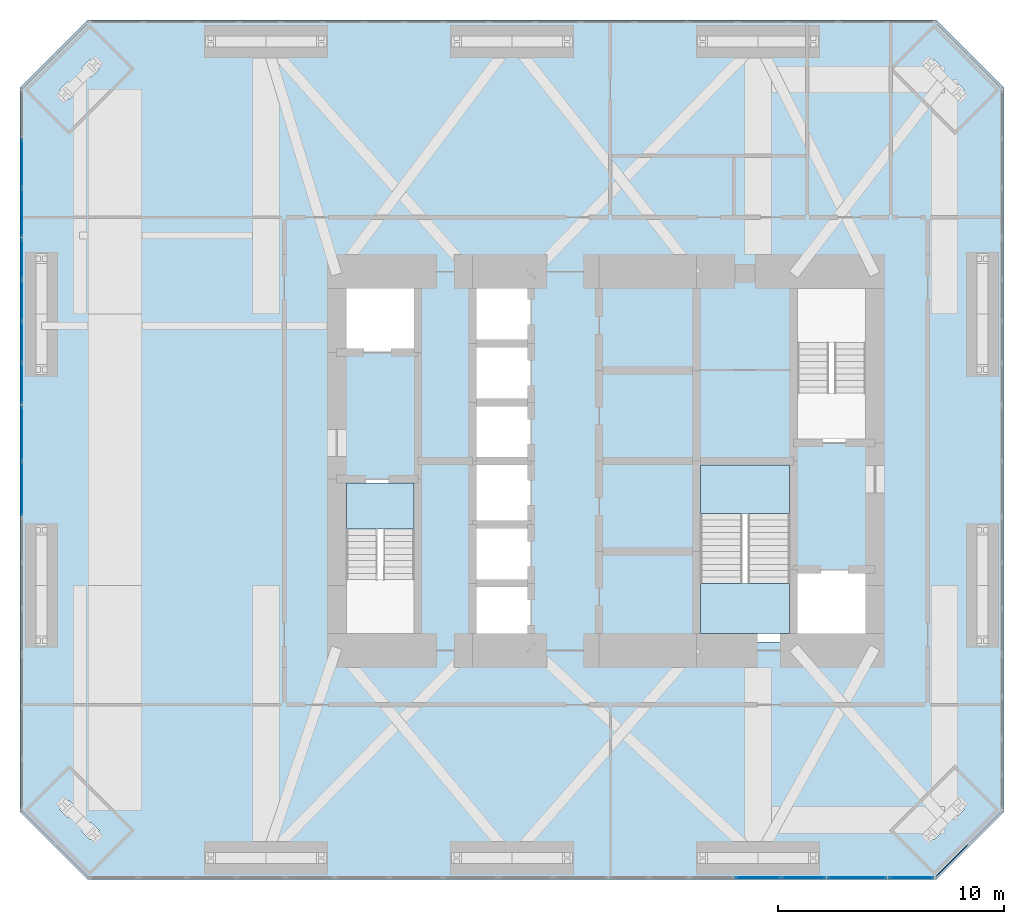
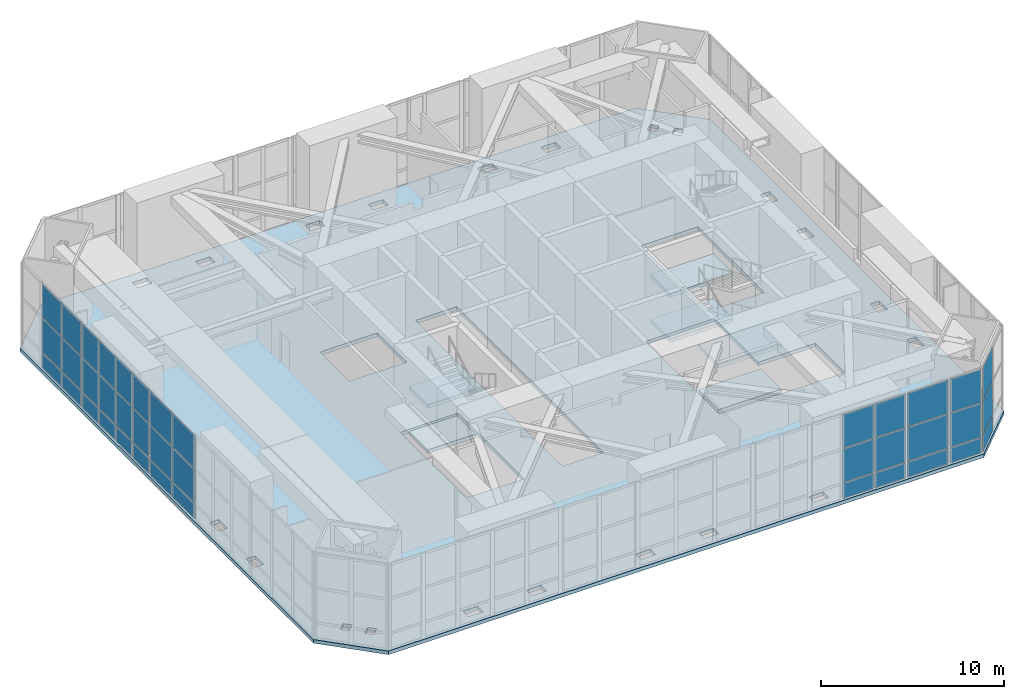
# One storey, part 11 of 18: 39 plates, 7 slabs, 9 elements without a shape of their own.
"""IFC4 building model written with IfcOpenShell, lengths in metres."""

from ifc_helpers import new_model, si_unit, direction, frame, origin, origin_2d, place, context, subcontext, project, spatial, polyline, rectangle, outline, extrude, material, layer, layer_set, type_object, element, aggregate, save


model = new_model("IFC4")

# Units and contexts
model_context = context("Model", 3, precision=1e-05, world=origin(), true_north=direction((0.0, 1.0)))
body_context = subcontext(model_context, "Body", "Model", "MODEL_VIEW")
ifc_project = project(units=[si_unit("LENGTHUNIT", "METRE"), si_unit("AREAUNIT", "SQUARE_METRE"), si_unit("VOLUMEUNIT", "CUBIC_METRE"), si_unit("PLANEANGLEUNIT", "RADIAN"), si_unit("MASSUNIT", "GRAM", prefix="KILO")], contexts=[model_context])

# Site, building, storey
site_placement = place(None, origin())
site = spatial("IfcSite", under=ifc_project, at=site_placement, CompositionType="ELEMENT")
building_placement = place(site_placement, origin())
building = spatial("IfcBuilding", under=site, at=building_placement, Name="Jalousie Tower", CompositionType="ELEMENT")
storey_placement = place(building_placement, frame((0.0, 0.0, 138.35009765625)))
storey = spatial("IfcBuildingStorey", under=building, at=storey_placement, Name="L38", CompositionType="ELEMENT", Elevation=138.35009765625)

# Slab
ifc_material_1 = material(Name="Concrete f'c 40 MPa", Category="concrete")
ifc_layer_1 = layer(ifc_material_1, 0.239990234375)
ifc_layer_set_1 = layer_set([ifc_layer_1], Name="Concrete f'c 40 MPa")
slab_type_1 = type_object("IfcSlabType", Name="FLOOR SLAB 240", PredefinedType="FLOOR", material=ifc_layer_set_1)
slab_1_placement = place(storey_placement, frame((0.0, 0.0, -0.239990234375)))
element("IfcSlab", 1, at=slab_1_placement, inside=storey, type_object=slab_type_1, Name="L38 floor slab", PredefinedType="FLOOR", context=body_context, shape_type="SweptSolid", body=[
    extrude(outline(polyline([(9.0, 0.0), (46.5, 0.0), (49.5, 3.0), (49.5, 35.0), (46.5, 38.0), (9.0, 38.0), (6.0, 35.0), (6.0, 3.0), (9.0, 0.0)]), holes=[polyline([(14.425048828125, 1.236083984375), (14.484619140625, 1.236083984375), (15.34716796875, 1.236083984375), (15.34716796875, 0.663818359375), (14.484619140625, 0.663818359375), (14.425048828125, 0.663818359375), (14.425048828125, 1.236083984375)]), polyline([(26.22216796875, 1.236083984375), (26.22216796875, 0.663818359375), (25.359619140625, 0.663818359375), (25.300048828125, 0.663818359375), (25.300048828125, 1.236083984375), (25.359619140625, 1.236083984375), (26.22216796875, 1.236083984375)]), polyline([(18.40283203125, 1.236083984375), (19.265380859375, 1.236083984375), (19.324951171875, 1.236083984375), (19.324951171875, 0.663818359375), (19.265380859375, 0.663818359375), (18.40283203125, 0.663818359375), (18.40283203125, 1.236083984375)]), polyline([(9.39453125, 2.27294921875), (9.505615234375, 2.162109375), (9.505615234375, 2.162109375), (9.302978515625, 1.959716796875), (9.1005859375, 1.75732421875), (8.98974609375, 1.868408203125), (8.98974609375, 1.868408203125), (8.736083984375, 2.121826171875), (9.14111328125, 2.526611328125), (9.39453125, 2.27294921875)]), polyline([(7.75732421875, 3.1005859375), (8.162109375, 3.505615234375), (8.526611328125, 3.14111328125), (8.121826171875, 2.736083984375), (7.75732421875, 3.1005859375)]), polyline([(7.236083984375, 10.550048828125), (6.663818359375, 10.550048828125), (6.663818359375, 10.609619140625), (6.663818359375, 11.47216796875), (7.236083984375, 11.47216796875), (7.236083984375, 10.609619140625), (7.236083984375, 10.550048828125)]), polyline([(26.0, 10.5), (26.0, 26.5), (28.60009765625, 26.5), (28.60009765625, 10.5), (26.0, 10.5)]), polyline([(20.0, 10.5), (23.60009765625, 10.5), (23.60009765625, 17.699951171875), (20.0, 17.699951171875), (20.0, 10.5)]), polyline([(7.236083984375, 15.390380859375), (7.236083984375, 14.52783203125), (6.663818359375, 14.52783203125), (6.663818359375, 15.390380859375), (6.663818359375, 15.449951171875), (7.236083984375, 15.449951171875), (7.236083984375, 15.390380859375)]), polyline([(6.663818359375, 23.47216796875), (7.236083984375, 23.47216796875), (7.236083984375, 22.609619140625), (7.236083984375, 22.550048828125), (6.663818359375, 22.550048828125), (6.663818359375, 22.609619140625), (6.663818359375, 23.47216796875)]), polyline([(20.0, 23.300048828125), (23.60009765625, 23.300048828125), (23.60009765625, 26.5), (20.0, 26.5), (20.0, 23.300048828125)]), polyline([(7.236083984375, 26.52783203125), (6.663818359375, 26.52783203125), (6.663818359375, 27.390380859375), (6.663818359375, 27.449951171875), (7.236083984375, 27.449951171875), (7.236083984375, 27.390380859375), (7.236083984375, 26.52783203125)]), polyline([(7.75732421875, 34.8994140625), (7.75732421875, 34.8994140625), (8.121826171875, 35.263916015625), (8.526611328125, 34.85888671875), (8.162109375, 34.494384765625), (7.959716796875, 34.697021484375), (7.75732421875, 34.8994140625), (7.75732421875, 34.8994140625)]), polyline([(9.505615234375, 35.837890625), (9.14111328125, 35.473388671875), (8.736083984375, 35.878173828125), (9.1005859375, 36.24267578125), (9.302978515625, 36.040283203125), (9.505615234375, 35.837890625), (9.505615234375, 35.837890625), (9.505615234375, 35.837890625)]), polyline([(26.22216796875, 36.763916015625), (25.359619140625, 36.763916015625), (25.300048828125, 36.763916015625), (25.300048828125, 37.336181640625), (25.359619140625, 37.336181640625), (26.22216796875, 37.336181640625), (26.22216796875, 36.763916015625)]), polyline([(19.324951171875, 37.336181640625), (19.324951171875, 36.763916015625), (19.265380859375, 36.763916015625), (18.40283203125, 36.763916015625), (18.40283203125, 37.336181640625), (19.265380859375, 37.336181640625), (19.324951171875, 37.336181640625)]), polyline([(14.425048828125, 36.763916015625), (14.425048828125, 37.336181640625), (14.484619140625, 37.336181640625), (15.34716796875, 37.336181640625), (15.34716796875, 36.763916015625), (14.484619140625, 36.763916015625), (14.425048828125, 36.763916015625)]), polyline([(29.27783203125, 0.663818359375), (29.27783203125, 1.236083984375), (30.140380859375, 1.236083984375), (30.199951171875, 1.236083984375), (30.199951171875, 0.663818359375), (30.140380859375, 0.663818359375), (29.27783203125, 0.663818359375)]), polyline([(36.234619140625, 0.663818359375), (36.175048828125, 0.663818359375), (36.175048828125, 1.236083984375), (36.234619140625, 1.236083984375), (37.09716796875, 1.236083984375), (37.09716796875, 0.663818359375), (36.234619140625, 0.663818359375)]), polyline([(41.015380859375, 1.236083984375), (41.074951171875, 1.236083984375), (41.074951171875, 0.663818359375), (41.015380859375, 0.663818359375), (40.15283203125, 0.663818359375), (40.15283203125, 1.236083984375), (41.015380859375, 1.236083984375)]), polyline([(46.763916015625, 2.121826171875), (46.3994140625, 1.75732421875), (46.3994140625, 1.75732421875), (46.3994140625, 1.75732421875), (46.197021484375, 1.959716796875), (45.994384765625, 2.162109375), (46.35888671875, 2.526611328125), (46.763916015625, 2.121826171875)]), polyline([(47.337890625, 3.505615234375), (47.337890625, 3.505615234375), (47.337890625, 3.505615234375), (47.540283203125, 3.302978515625), (47.74267578125, 3.1005859375), (47.378173828125, 2.736083984375), (46.973388671875, 3.14111328125), (47.337890625, 3.505615234375)]), polyline([(48.836181640625, 10.550048828125), (48.263916015625, 10.550048828125), (48.263916015625, 10.609619140625), (48.263916015625, 11.47216796875), (48.836181640625, 11.47216796875), (48.836181640625, 10.609619140625), (48.836181640625, 10.550048828125)]), polyline([(35.89990234375, 18.5), (40.199951171875, 18.5), (40.199951171875, 13.699951171875), (43.800048828125, 13.699951171875), (43.800048828125, 10.5), (35.89990234375, 10.5), (35.89990234375, 18.5)]), polyline([(48.836181640625, 14.52783203125), (48.263916015625, 14.52783203125), (48.263916015625, 15.390380859375), (48.263916015625, 15.449951171875), (48.836181640625, 15.449951171875), (48.836181640625, 15.390380859375), (48.836181640625, 14.52783203125)]), polyline([(40.199951171875, 19.300048828125), (43.800048828125, 19.300048828125), (43.800048828125, 26.5), (40.199951171875, 26.5), (40.199951171875, 19.300048828125)]), polyline([(48.836181640625, 22.550048828125), (48.263916015625, 22.550048828125), (48.263916015625, 22.609619140625), (48.263916015625, 23.47216796875), (48.836181640625, 23.47216796875), (48.836181640625, 22.609619140625), (48.836181640625, 22.550048828125)]), polyline([(48.836181640625, 27.390380859375), (48.836181640625, 26.52783203125), (48.263916015625, 26.52783203125), (48.263916015625, 27.390380859375), (48.263916015625, 27.449951171875), (48.836181640625, 27.449951171875), (48.836181640625, 27.390380859375)]), polyline([(47.378173828125, 35.263916015625), (47.631591796875, 35.01025390625), (47.74267578125, 34.8994140625), (47.337890625, 34.494384765625), (46.973388671875, 34.85888671875), (47.378173828125, 35.263916015625)]), polyline([(46.35888671875, 35.473388671875), (45.994384765625, 35.837890625), (46.3994140625, 36.24267578125), (46.51025390625, 36.131591796875), (46.763916015625, 35.878173828125), (46.35888671875, 35.473388671875)]), polyline([(41.015380859375, 37.336181640625), (41.074951171875, 37.336181640625), (41.074951171875, 36.763916015625), (41.015380859375, 36.763916015625), (40.15283203125, 36.763916015625), (40.15283203125, 37.336181640625), (41.015380859375, 37.336181640625)]), polyline([(37.09716796875, 37.336181640625), (37.09716796875, 36.763916015625), (36.234619140625, 36.763916015625), (36.175048828125, 36.763916015625), (36.175048828125, 37.336181640625), (36.234619140625, 37.336181640625), (37.09716796875, 37.336181640625)]), polyline([(29.27783203125, 37.336181640625), (30.140380859375, 37.336181640625), (30.199951171875, 37.336181640625), (30.199951171875, 36.763916015625), (30.140380859375, 36.763916015625), (29.27783203125, 36.763916015625), (29.27783203125, 37.336181640625)])]), origin(), (0.0, 0.0, 1.0), 0.239990234375),
])

# Curtain wall, plates
ifc_material_2 = material(Name="Aluminium curtain wall", Category="aluminium")
curtain_wall_type_1 = type_object("IfcCurtainWallType", Name="SKY LOUNGE SPANDREL WALL", PredefinedType="USERDEFINED", material=ifc_material_2)
curtain_wall_1_placement = place(storey_placement, origin())
curtain_wall_1 = element("IfcCurtainWall", 2, at=curtain_wall_1_placement, inside=storey, type_object=curtain_wall_type_1, Name="Sky Lounge Spandrel Wall L38 5", ObjectType="SKY LOUNGE SPANDREL WALL", PredefinedType="USERDEFINED")
ifc_material_3 = material(Name="Laminated impact-rated spandrel glass", Category="glass")
ifc_layer_2 = layer(ifc_material_3, 0.035888671875)
ifc_layer_set_2 = layer_set([ifc_layer_2], Name="Laminated impact-rated spandrel glass")
plate_type_1 = type_object("IfcPlateType", Name="SKY LOUNGE SPANDREL WALL PANEL", PredefinedType="CURTAIN_PANEL", material=ifc_layer_set_2)
plate_1_placement = place(storey_placement, frame((38.625, 0.08740234375, 0.07470703125), z_axis=(0.0, 0.0, 1.0), x_axis=(1.0, 0.0, 0.0)))
plate_1 = element("IfcPlate", 3, at=plate_1_placement, type_object=plate_type_1, Name="CW-KS panel 2.1", PredefinedType="CURTAIN_PANEL", context=body_context, shape_type="SweptSolid", body=[
    extrude(rectangle(XDim=1.951416015625, YDim=0.035888671875, at=origin_2d()), origin(), (0.0, 0.0, 1.0), 0.987548828125),
])
plate_2_placement = place(storey_placement, frame((38.625, 0.08740234375, 1.137451171875), z_axis=(0.0, 0.0, 1.0), x_axis=(1.0, 0.0, 0.0)))
plate_2 = element("IfcPlate", 4, at=plate_2_placement, type_object=plate_type_1, Name="CW-KS panel 2.2", PredefinedType="CURTAIN_PANEL", context=body_context, shape_type="SweptSolid", body=[
    extrude(rectangle(XDim=1.951416015625, YDim=0.035888671875, at=origin_2d()), origin(), (0.0, 0.0, 1.0), 2.22509765625),
])
plate_3_placement = place(storey_placement, frame((38.625, 0.08740234375, 3.4375), z_axis=(0.0, 0.0, 1.0), x_axis=(1.0, 0.0, 0.0)))
plate_3 = element("IfcPlate", 5, at=plate_3_placement, type_object=plate_type_1, Name="CW-KS panel 2.3", PredefinedType="CURTAIN_PANEL", context=body_context, shape_type="SweptSolid", body=[
    extrude(rectangle(XDim=1.951416015625, YDim=0.035888671875, at=origin_2d()), origin(), (0.0, 0.0, 1.0), 2.20751953125),
])
plate_4_placement = place(storey_placement, frame((40.632568359375, 0.08740234375, 0.07470703125), z_axis=(0.0, 0.0, 1.0), x_axis=(1.0, 0.0, 0.0)))
plate_4 = element("IfcPlate", 6, at=plate_4_placement, type_object=plate_type_1, Name="CW-KS panel 3.1", PredefinedType="CURTAIN_PANEL", context=body_context, shape_type="SweptSolid", body=[
    extrude(rectangle(XDim=1.913818359375, YDim=0.035888671875, at=origin_2d()), origin(), (0.0, 0.0, 1.0), 0.987548828125),
])
plate_5_placement = place(storey_placement, frame((40.632568359375, 0.08740234375, 1.137451171875), z_axis=(0.0, 0.0, 1.0), x_axis=(1.0, 0.0, 0.0)))
plate_5 = element("IfcPlate", 7, at=plate_5_placement, type_object=plate_type_1, Name="CW-KS panel 3.2", PredefinedType="CURTAIN_PANEL", context=body_context, shape_type="SweptSolid", body=[
    extrude(rectangle(XDim=1.913818359375, YDim=0.035888671875, at=origin_2d()), origin(), (0.0, 0.0, 1.0), 2.22509765625),
])
plate_6_placement = place(storey_placement, frame((40.632568359375, 0.08740234375, 3.4375), z_axis=(0.0, 0.0, 1.0), x_axis=(1.0, 0.0, 0.0)))
plate_6 = element("IfcPlate", 8, at=plate_6_placement, type_object=plate_type_1, Name="CW-KS panel 3.3", PredefinedType="CURTAIN_PANEL", context=body_context, shape_type="SweptSolid", body=[
    extrude(rectangle(XDim=1.913818359375, YDim=0.035888671875, at=origin_2d()), origin(), (0.0, 0.0, 1.0), 2.20751953125),
])
aggregate(curtain_wall_1, [plate_1, plate_2, plate_3, plate_4, plate_5, plate_6])

curtain_wall_2_placement = place(storey_placement, origin())
curtain_wall_2 = element("IfcCurtainWall", 9, at=curtain_wall_2_placement, inside=storey, type_object=curtain_wall_type_1, Name="Sky Lounge Spandrel Wall L38 7", ObjectType="SKY LOUNGE SPANDREL WALL", PredefinedType="USERDEFINED")
plate_7_placement = place(storey_placement, frame((45.405029296875, 0.08740234375, 0.07470703125), z_axis=(0.0, 0.0, 1.0), x_axis=(1.0, 0.0, 0.0)))
plate_7 = element("IfcPlate", 10, at=plate_7_placement, type_object=plate_type_1, Name="CW-KS panel 1.1", PredefinedType="CURTAIN_PANEL", context=body_context, shape_type="SweptSolid", body=[
    extrude(rectangle(XDim=1.937255859375, YDim=0.035888671875, at=origin_2d()), origin(), (0.0, 0.0, 1.0), 0.987548828125),
])
plate_8_placement = place(storey_placement, frame((45.405029296875, 0.08740234375, 1.137451171875), z_axis=(0.0, 0.0, 1.0), x_axis=(1.0, 0.0, 0.0)))
plate_8 = element("IfcPlate", 11, at=plate_8_placement, type_object=plate_type_1, Name="CW-KS panel 1.2", PredefinedType="CURTAIN_PANEL", context=body_context, shape_type="SweptSolid", body=[
    extrude(rectangle(XDim=1.937255859375, YDim=0.035888671875, at=origin_2d()), origin(), (0.0, 0.0, 1.0), 2.22509765625),
])
plate_9_placement = place(storey_placement, frame((45.405029296875, 0.08740234375, 3.4375), z_axis=(0.0, 0.0, 1.0), x_axis=(1.0, 0.0, 0.0)))
plate_9 = element("IfcPlate", 12, at=plate_9_placement, type_object=plate_type_1, Name="CW-KS panel 1.3", PredefinedType="CURTAIN_PANEL", context=body_context, shape_type="SweptSolid", body=[
    extrude(rectangle(XDim=1.937255859375, YDim=0.035888671875, at=origin_2d()), origin(), (0.0, 0.0, 1.0), 2.20751953125),
])
aggregate(curtain_wall_2, [plate_7, plate_8, plate_9])

curtain_wall_3_placement = place(storey_placement, origin())
curtain_wall_3 = element("IfcCurtainWall", 13, at=curtain_wall_3_placement, inside=storey, type_object=curtain_wall_type_1, Name="Sky Lounge Spandrel Wall L38 2", ObjectType="SKY LOUNGE SPANDREL WALL", PredefinedType="USERDEFINED")
plate_10_placement = place(storey_placement, frame((47.202880859375, 0.841796875, 0.07470703125), z_axis=(0.0, 0.0, 1.0), x_axis=(0.707106781187, 0.707106781187, 0.0)))
plate_10 = element("IfcPlate", 14, at=plate_10_placement, type_object=plate_type_1, Name="CW-KS panel 1.1", PredefinedType="CURTAIN_PANEL", context=body_context, shape_type="SweptSolid", body=[
    extrude(rectangle(XDim=1.983154296875, YDim=0.035888671875, at=origin_2d()), origin(), (0.0, 0.0, 1.0), 0.987548828125),
])
plate_11_placement = place(storey_placement, frame((47.202880859375, 0.841796875, 1.137451171875), z_axis=(0.0, 0.0, 1.0), x_axis=(0.707106781187, 0.707106781187, 0.0)))
plate_11 = element("IfcPlate", 15, at=plate_11_placement, type_object=plate_type_1, Name="CW-KS panel 1.2", PredefinedType="CURTAIN_PANEL", context=body_context, shape_type="SweptSolid", body=[
    extrude(rectangle(XDim=1.983154296875, YDim=0.035888671875, at=origin_2d()), origin(), (0.0, 0.0, 1.0), 2.22509765625),
])
plate_12_placement = place(storey_placement, frame((47.202880859375, 0.841796875, 3.4375), z_axis=(0.0, 0.0, 1.0), x_axis=(0.707106781187, 0.707106781187, 0.0)))
plate_12 = element("IfcPlate", 16, at=plate_12_placement, type_object=plate_type_1, Name="CW-KS panel 1.3", PredefinedType="CURTAIN_PANEL", context=body_context, shape_type="SweptSolid", body=[
    extrude(rectangle(XDim=1.983154296875, YDim=0.035888671875, at=origin_2d()), origin(), (0.0, 0.0, 1.0), 2.20751953125),
])
aggregate(curtain_wall_3, [plate_10, plate_11, plate_12])

curtain_wall_4_placement = place(storey_placement, origin())
curtain_wall_4 = element("IfcCurtainWall", 17, at=curtain_wall_4_placement, inside=storey, type_object=curtain_wall_type_1, Name="Sky Lounge Spandrel Wall L38 62", ObjectType="SKY LOUNGE SPANDREL WALL", PredefinedType="USERDEFINED")
plate_13_placement = place(storey_placement, frame((6.08740234375, 27.4296875, 0.07470703125), z_axis=(0.0, 0.0, 1.0), x_axis=(0.0, -1.0, 0.0)))
plate_13 = element("IfcPlate", 18, at=plate_13_placement, type_object=plate_type_1, Name="CW-KS panel 1.1", PredefinedType="CURTAIN_PANEL", context=body_context, shape_type="SweptSolid", body=[
    extrude(rectangle(XDim=1.735595703125, YDim=0.035888671875, at=origin_2d()), origin(), (0.0, 0.0, 1.0), 0.987548828125),
])
plate_14_placement = place(storey_placement, frame((6.08740234375, 27.4296875, 1.137451171875), z_axis=(0.0, 0.0, 1.0), x_axis=(0.0, -1.0, 0.0)))
plate_14 = element("IfcPlate", 19, at=plate_14_placement, type_object=plate_type_1, Name="CW-KS panel 1.2", PredefinedType="CURTAIN_PANEL", context=body_context, shape_type="SweptSolid", body=[
    extrude(rectangle(XDim=1.735595703125, YDim=0.035888671875, at=origin_2d()), origin(), (0.0, 0.0, 1.0), 2.22509765625),
])
plate_15_placement = place(storey_placement, frame((6.08740234375, 27.4296875, 3.4375), z_axis=(0.0, 0.0, 1.0), x_axis=(0.0, -1.0, 0.0)))
plate_15 = element("IfcPlate", 20, at=plate_15_placement, type_object=plate_type_1, Name="CW-KS panel 1.3", PredefinedType="CURTAIN_PANEL", context=body_context, shape_type="SweptSolid", body=[
    extrude(rectangle(XDim=1.735595703125, YDim=0.035888671875, at=origin_2d()), origin(), (0.0, 0.0, 1.0), 2.20751953125),
])
plate_16_placement = place(storey_placement, frame((6.08740234375, 25.600341796875, 0.07470703125), z_axis=(0.0, 0.0, 1.0), x_axis=(0.0, -1.0, 0.0)))
plate_16 = element("IfcPlate", 21, at=plate_16_placement, type_object=plate_type_1, Name="CW-KS panel 2.1", PredefinedType="CURTAIN_PANEL", context=body_context, shape_type="SweptSolid", body=[
    extrude(rectangle(XDim=1.773193359375, YDim=0.035888671875, at=origin_2d()), origin(), (0.0, 0.0, 1.0), 0.987548828125),
])
plate_17_placement = place(storey_placement, frame((6.08740234375, 25.600341796875, 1.137451171875), z_axis=(0.0, 0.0, 1.0), x_axis=(0.0, -1.0, 0.0)))
plate_17 = element("IfcPlate", 22, at=plate_17_placement, type_object=plate_type_1, Name="CW-KS panel 2.2", PredefinedType="CURTAIN_PANEL", context=body_context, shape_type="SweptSolid", body=[
    extrude(rectangle(XDim=1.773193359375, YDim=0.035888671875, at=origin_2d()), origin(), (0.0, 0.0, 1.0), 2.22509765625),
])
plate_18_placement = place(storey_placement, frame((6.08740234375, 25.600341796875, 3.4375), z_axis=(0.0, 0.0, 1.0), x_axis=(0.0, -1.0, 0.0)))
plate_18 = element("IfcPlate", 23, at=plate_18_placement, type_object=plate_type_1, Name="CW-KS panel 2.3", PredefinedType="CURTAIN_PANEL", context=body_context, shape_type="SweptSolid", body=[
    extrude(rectangle(XDim=1.773193359375, YDim=0.035888671875, at=origin_2d()), origin(), (0.0, 0.0, 1.0), 2.20751953125),
])
plate_19_placement = place(storey_placement, frame((6.08740234375, 23.752197265625, 0.07470703125), z_axis=(0.0, 0.0, 1.0), x_axis=(0.0, -1.0, 0.0)))
plate_19 = element("IfcPlate", 24, at=plate_19_placement, type_object=plate_type_1, Name="CW-KS panel 3.1", PredefinedType="CURTAIN_PANEL", context=body_context, shape_type="SweptSolid", body=[
    extrude(rectangle(XDim=1.773193359375, YDim=0.035888671875, at=origin_2d()), origin(), (0.0, 0.0, 1.0), 0.987548828125),
])
plate_20_placement = place(storey_placement, frame((6.08740234375, 23.752197265625, 1.137451171875), z_axis=(0.0, 0.0, 1.0), x_axis=(0.0, -1.0, 0.0)))
plate_20 = element("IfcPlate", 25, at=plate_20_placement, type_object=plate_type_1, Name="CW-KS panel 3.2", PredefinedType="CURTAIN_PANEL", context=body_context, shape_type="SweptSolid", body=[
    extrude(rectangle(XDim=1.773193359375, YDim=0.035888671875, at=origin_2d()), origin(), (0.0, 0.0, 1.0), 2.22509765625),
])
plate_21_placement = place(storey_placement, frame((6.08740234375, 23.752197265625, 3.4375), z_axis=(0.0, 0.0, 1.0), x_axis=(0.0, -1.0, 0.0)))
plate_21 = element("IfcPlate", 26, at=plate_21_placement, type_object=plate_type_1, Name="CW-KS panel 3.3", PredefinedType="CURTAIN_PANEL", context=body_context, shape_type="SweptSolid", body=[
    extrude(rectangle(XDim=1.773193359375, YDim=0.035888671875, at=origin_2d()), origin(), (0.0, 0.0, 1.0), 2.20751953125),
])
plate_22_placement = place(storey_placement, frame((6.08740234375, 21.9228515625, 0.07470703125), z_axis=(0.0, 0.0, 1.0), x_axis=(0.0, -1.0, 0.0)))
plate_22 = element("IfcPlate", 27, at=plate_22_placement, type_object=plate_type_1, Name="CW-KS panel 4.1", PredefinedType="CURTAIN_PANEL", context=body_context, shape_type="SweptSolid", body=[
    extrude(rectangle(XDim=1.735595703125, YDim=0.035888671875, at=origin_2d()), origin(), (0.0, 0.0, 1.0), 0.987548828125),
])
plate_23_placement = place(storey_placement, frame((6.08740234375, 21.9228515625, 1.137451171875), z_axis=(0.0, 0.0, 1.0), x_axis=(0.0, -1.0, 0.0)))
plate_23 = element("IfcPlate", 28, at=plate_23_placement, type_object=plate_type_1, Name="CW-KS panel 4.2", PredefinedType="CURTAIN_PANEL", context=body_context, shape_type="SweptSolid", body=[
    extrude(rectangle(XDim=1.735595703125, YDim=0.035888671875, at=origin_2d()), origin(), (0.0, 0.0, 1.0), 2.22509765625),
])
plate_24_placement = place(storey_placement, frame((6.08740234375, 21.9228515625, 3.4375), z_axis=(0.0, 0.0, 1.0), x_axis=(0.0, -1.0, 0.0)))
plate_24 = element("IfcPlate", 29, at=plate_24_placement, type_object=plate_type_1, Name="CW-KS panel 4.3", PredefinedType="CURTAIN_PANEL", context=body_context, shape_type="SweptSolid", body=[
    extrude(rectangle(XDim=1.735595703125, YDim=0.035888671875, at=origin_2d()), origin(), (0.0, 0.0, 1.0), 2.20751953125),
])
aggregate(curtain_wall_4, [plate_13, plate_14, plate_15, plate_16, plate_17, plate_18, plate_19, plate_20, plate_21, plate_22, plate_23, plate_24])

ifc_material_4 = material(Name="Aluminium curtain wall", Category="aluminium")
curtain_wall_type_2 = type_object("IfcCurtainWallType", Name="SKY LOUNGE WINDOW WALL", PredefinedType="USERDEFINED", material=ifc_material_4)
curtain_wall_5_placement = place(storey_placement, origin())
curtain_wall_5 = element("IfcCurtainWall", 30, at=curtain_wall_5_placement, inside=storey, type_object=curtain_wall_type_2, Name="Sky Lounge Window Wall L38 6", ObjectType="SKY LOUNGE WINDOW WALL", PredefinedType="USERDEFINED")
ifc_material_5 = material(Name="Laminated impact-rated glass", Category="glass")
ifc_layer_3 = layer(ifc_material_5, 0.035888671875)
ifc_layer_set_3 = layer_set([ifc_layer_3], Name="Laminated impact-rated glass")
plate_type_2 = type_object("IfcPlateType", Name="SKY LOUNGE WINDOW WALL PANEL", PredefinedType="CURTAIN_PANEL", material=ifc_layer_set_3)
plate_25_placement = place(storey_placement, frame((43.012939453125, 0.08740234375, 0.07470703125), z_axis=(0.0, 0.0, 1.0), x_axis=(1.0, 0.0, 0.0)))
plate_25 = element("IfcPlate", 31, at=plate_25_placement, type_object=plate_type_2, Name="CW-K panel 1.1", PredefinedType="CURTAIN_PANEL", context=body_context, shape_type="SweptSolid", body=[
    extrude(rectangle(XDim=2.547119140625, YDim=0.035888671875, at=origin_2d()), origin(), (0.0, 0.0, 1.0), 0.987548828125),
])
plate_26_placement = place(storey_placement, frame((43.012939453125, 0.08740234375, 1.137451171875), z_axis=(0.0, 0.0, 1.0), x_axis=(1.0, 0.0, 0.0)))
plate_26 = element("IfcPlate", 32, at=plate_26_placement, type_object=plate_type_2, Name="CW-K panel 1.2", PredefinedType="CURTAIN_PANEL", context=body_context, shape_type="SweptSolid", body=[
    extrude(rectangle(XDim=2.547119140625, YDim=0.035888671875, at=origin_2d()), origin(), (0.0, 0.0, 1.0), 2.22509765625),
])
plate_27_placement = place(storey_placement, frame((43.012939453125, 0.08740234375, 3.4375), z_axis=(0.0, 0.0, 1.0), x_axis=(1.0, 0.0, 0.0)))
plate_27 = element("IfcPlate", 33, at=plate_27_placement, type_object=plate_type_2, Name="CW-K panel 1.3", PredefinedType="CURTAIN_PANEL", context=body_context, shape_type="SweptSolid", body=[
    extrude(rectangle(XDim=2.547119140625, YDim=0.035888671875, at=origin_2d()), origin(), (0.0, 0.0, 1.0), 2.20751953125),
])
aggregate(curtain_wall_5, [plate_25, plate_26, plate_27])

curtain_wall_6_placement = place(storey_placement, origin())
curtain_wall_6 = element("IfcCurtainWall", 34, at=curtain_wall_6_placement, inside=storey, type_object=curtain_wall_type_2, Name="Sky Lounge Window Wall L38 61", ObjectType="SKY LOUNGE WINDOW WALL", PredefinedType="USERDEFINED")
plate_28_placement = place(storey_placement, frame((6.08740234375, 31.66064453125, 0.07470703125), z_axis=(0.0, 0.0, 1.0), x_axis=(0.0, -1.0, 0.0)))
plate_28 = element("IfcPlate", 35, at=plate_28_placement, type_object=plate_type_2, Name="CW-K panel 2.1", PredefinedType="CURTAIN_PANEL", context=body_context, shape_type="SweptSolid", body=[
    extrude(rectangle(XDim=2.116943359375, YDim=0.035888671875, at=origin_2d()), origin(), (0.0, 0.0, 1.0), 0.987548828125),
])
plate_29_placement = place(storey_placement, frame((6.08740234375, 31.66064453125, 1.137451171875), z_axis=(0.0, 0.0, 1.0), x_axis=(0.0, -1.0, 0.0)))
plate_29 = element("IfcPlate", 36, at=plate_29_placement, type_object=plate_type_2, Name="CW-K panel 2.2", PredefinedType="CURTAIN_PANEL", context=body_context, shape_type="SweptSolid", body=[
    extrude(rectangle(XDim=2.116943359375, YDim=0.035888671875, at=origin_2d()), origin(), (0.0, 0.0, 1.0), 2.22509765625),
])
plate_30_placement = place(storey_placement, frame((6.08740234375, 31.66064453125, 3.4375), z_axis=(0.0, 0.0, 1.0), x_axis=(0.0, -1.0, 0.0)))
plate_30 = element("IfcPlate", 37, at=plate_30_placement, type_object=plate_type_2, Name="CW-K panel 2.3", PredefinedType="CURTAIN_PANEL", context=body_context, shape_type="SweptSolid", body=[
    extrude(rectangle(XDim=2.116943359375, YDim=0.035888671875, at=origin_2d()), origin(), (0.0, 0.0, 1.0), 2.20751953125),
])
plate_31_placement = place(storey_placement, frame((6.08740234375, 29.4873046875, 0.07470703125), z_axis=(0.0, 0.0, 1.0), x_axis=(0.0, -1.0, 0.0)))
plate_31 = element("IfcPlate", 38, at=plate_31_placement, type_object=plate_type_2, Name="CW-K panel 3.1", PredefinedType="CURTAIN_PANEL", context=body_context, shape_type="SweptSolid", body=[
    extrude(rectangle(XDim=2.07958984375, YDim=0.035888671875, at=origin_2d()), origin(), (0.0, 0.0, 1.0), 0.987548828125),
])
plate_32_placement = place(storey_placement, frame((6.08740234375, 29.4873046875, 1.137451171875), z_axis=(0.0, 0.0, 1.0), x_axis=(0.0, -1.0, 0.0)))
plate_32 = element("IfcPlate", 39, at=plate_32_placement, type_object=plate_type_2, Name="CW-K panel 3.2", PredefinedType="CURTAIN_PANEL", context=body_context, shape_type="SweptSolid", body=[
    extrude(rectangle(XDim=2.07958984375, YDim=0.035888671875, at=origin_2d()), origin(), (0.0, 0.0, 1.0), 2.22509765625),
])
plate_33_placement = place(storey_placement, frame((6.08740234375, 29.4873046875, 3.4375), z_axis=(0.0, 0.0, 1.0), x_axis=(0.0, -1.0, 0.0)))
plate_33 = element("IfcPlate", 40, at=plate_33_placement, type_object=plate_type_2, Name="CW-K panel 3.3", PredefinedType="CURTAIN_PANEL", context=body_context, shape_type="SweptSolid", body=[
    extrude(rectangle(XDim=2.07958984375, YDim=0.035888671875, at=origin_2d()), origin(), (0.0, 0.0, 1.0), 2.20751953125),
])
aggregate(curtain_wall_6, [plate_28, plate_29, plate_30, plate_31, plate_32, plate_33])

curtain_wall_7_placement = place(storey_placement, origin())
curtain_wall_7 = element("IfcCurtainWall", 41, at=curtain_wall_7_placement, inside=storey, type_object=curtain_wall_type_2, Name="Sky Lounge Window Wall L38 63", ObjectType="SKY LOUNGE WINDOW WALL", PredefinedType="USERDEFINED")
plate_34_placement = place(storey_placement, frame((6.08740234375, 19.72607421875, 0.07470703125), z_axis=(0.0, 0.0, 1.0), x_axis=(0.0, -1.0, 0.0)))
plate_34 = element("IfcPlate", 42, at=plate_34_placement, type_object=plate_type_2, Name="CW-K panel 1.1", PredefinedType="CURTAIN_PANEL", context=body_context, shape_type="SweptSolid", body=[
    extrude(rectangle(XDim=2.357666015625, YDim=0.035888671875, at=origin_2d()), origin(), (0.0, 0.0, 1.0), 0.987548828125),
])
plate_35_placement = place(storey_placement, frame((6.08740234375, 19.72607421875, 1.137451171875), z_axis=(0.0, 0.0, 1.0), x_axis=(0.0, -1.0, 0.0)))
plate_35 = element("IfcPlate", 43, at=plate_35_placement, type_object=plate_type_2, Name="CW-K panel 1.2", PredefinedType="CURTAIN_PANEL", context=body_context, shape_type="SweptSolid", body=[
    extrude(rectangle(XDim=2.357666015625, YDim=0.035888671875, at=origin_2d()), origin(), (0.0, 0.0, 1.0), 2.22509765625),
])
plate_36_placement = place(storey_placement, frame((6.08740234375, 19.72607421875, 3.4375), z_axis=(0.0, 0.0, 1.0), x_axis=(0.0, -1.0, 0.0)))
plate_36 = element("IfcPlate", 44, at=plate_36_placement, type_object=plate_type_2, Name="CW-K panel 1.3", PredefinedType="CURTAIN_PANEL", context=body_context, shape_type="SweptSolid", body=[
    extrude(rectangle(XDim=2.357666015625, YDim=0.035888671875, at=origin_2d()), origin(), (0.0, 0.0, 1.0), 2.20751953125),
])
plate_37_placement = place(storey_placement, frame((6.08740234375, 17.29345703125, 0.07470703125), z_axis=(0.0, 0.0, 1.0), x_axis=(0.0, -1.0, 0.0)))
plate_37 = element("IfcPlate", 45, at=plate_37_placement, type_object=plate_type_2, Name="CW-K panel 2.1", PredefinedType="CURTAIN_PANEL", context=body_context, shape_type="SweptSolid", body=[
    extrude(rectangle(XDim=2.357666015625, YDim=0.035888671875, at=origin_2d()), origin(), (0.0, 0.0, 1.0), 0.987548828125),
])
plate_38_placement = place(storey_placement, frame((6.08740234375, 17.29345703125, 1.137451171875), z_axis=(0.0, 0.0, 1.0), x_axis=(0.0, -1.0, 0.0)))
plate_38 = element("IfcPlate", 46, at=plate_38_placement, type_object=plate_type_2, Name="CW-K panel 2.2", PredefinedType="CURTAIN_PANEL", context=body_context, shape_type="SweptSolid", body=[
    extrude(rectangle(XDim=2.357666015625, YDim=0.035888671875, at=origin_2d()), origin(), (0.0, 0.0, 1.0), 2.22509765625),
])
plate_39_placement = place(storey_placement, frame((6.08740234375, 17.29345703125, 3.4375), z_axis=(0.0, 0.0, 1.0), x_axis=(0.0, -1.0, 0.0)))
plate_39 = element("IfcPlate", 47, at=plate_39_placement, type_object=plate_type_2, Name="CW-K panel 2.3", PredefinedType="CURTAIN_PANEL", context=body_context, shape_type="SweptSolid", body=[
    extrude(rectangle(XDim=2.357666015625, YDim=0.035888671875, at=origin_2d()), origin(), (0.0, 0.0, 1.0), 2.20751953125),
])
aggregate(curtain_wall_7, [plate_34, plate_35, plate_36, plate_37, plate_38, plate_39])

# Stair, slabs
ifc_material_6 = material(Name="Concrete f'c 40 MPa", Category="concrete")
stair_type = type_object("IfcStairType", Name="EXIT STAIR", PredefinedType="HALF_TURN_STAIR", material=ifc_material_6)
stair_1_placement = place(storey_placement, origin())
stair_1 = element("IfcStair", 48, at=stair_1_placement, inside=storey, type_object=stair_type, Name="Exit stair A L38", PredefinedType="HALF_TURN_STAIR")
ifc_material_7 = material(Name="Concrete f'c 40 MPa", Category="concrete")
ifc_layer_4 = layer(ifc_material_7, 0.25)
ifc_layer_set_4 = layer_set([ifc_layer_4], Name="Concrete f'c 40 MPa")
slab_type_2 = type_object("IfcSlabType", Name="STAIR LANDING 250", PredefinedType="LANDING", material=ifc_layer_set_4)
slab_2_placement = place(storey_placement, frame((0.0, 0.0, -0.25)))
slab_2 = element("IfcSlab", 49, at=slab_2_placement, type_object=slab_type_2, Name="ST-A landing 1", PredefinedType="LANDING", context=body_context, shape_type="SweptSolid", body=[
    extrude(outline(polyline([(20.425048828125, 15.49755859375), (23.425048828125, 15.49755859375), (23.425048828125, 17.52490234375), (20.425048828125, 17.52490234375), (20.425048828125, 15.49755859375)])), origin(), (0.0, 0.0, 1.0), 0.25),
])
slab_3_placement = place(storey_placement, frame((0.0, 0.0, 2.75)))
slab_3 = element("IfcSlab", 50, at=slab_3_placement, type_object=slab_type_2, Name="ST-A landing 3", PredefinedType="LANDING", context=body_context, shape_type="SweptSolid", body=[
    extrude(outline(polyline([(20.425048828125, 15.49755859375), (23.425048828125, 15.49755859375), (23.425048828125, 17.52490234375), (20.425048828125, 17.52490234375), (20.425048828125, 15.49755859375)])), origin(), (0.0, 0.0, 1.0), 0.25),
])
aggregate(stair_1, [slab_2, slab_3])

stair_2_placement = place(storey_placement, origin())
stair_2 = element("IfcStair", 51, at=stair_2_placement, inside=storey, type_object=stair_type, Name="Exit stair C L38", PredefinedType="HALF_TURN_STAIR")
slab_4_placement = place(storey_placement, frame((0.0, 0.0, -0.25)))
slab_4 = element("IfcSlab", 52, at=slab_4_placement, type_object=slab_type_2, Name="ST-C landing 1", PredefinedType="LANDING", context=body_context, shape_type="SweptSolid", body=[
    extrude(outline(polyline([(36.074951171875, 10.875), (40.02490234375, 10.875), (40.02490234375, 13.097412109375), (36.074951171875, 13.097412109375), (36.074951171875, 10.875)])), origin(), (0.0, 0.0, 1.0), 0.25),
])
slab_5_placement = place(storey_placement, frame((0.0, 0.0, 1.25)))
slab_5 = element("IfcSlab", 53, at=slab_5_placement, type_object=slab_type_2, Name="ST-C landing 2", PredefinedType="LANDING", context=body_context, shape_type="SweptSolid", body=[
    extrude(outline(polyline([(36.074951171875, 16.177490234375), (40.02490234375, 16.177490234375), (40.02490234375, 18.324951171875), (36.074951171875, 18.324951171875), (36.074951171875, 16.177490234375)])), origin(), (0.0, 0.0, 1.0), 0.25),
])
slab_6_placement = place(storey_placement, frame((0.0, 0.0, 2.75)))
slab_6 = element("IfcSlab", 54, at=slab_6_placement, type_object=slab_type_2, Name="ST-C landing 3", PredefinedType="LANDING", context=body_context, shape_type="SweptSolid", body=[
    extrude(outline(polyline([(36.074951171875, 10.875), (40.02490234375, 10.875), (40.02490234375, 13.097412109375), (36.074951171875, 13.097412109375), (36.074951171875, 10.875)])), origin(), (0.0, 0.0, 1.0), 0.25),
])
slab_7_placement = place(storey_placement, frame((0.0, 0.0, 4.25)))
slab_7 = element("IfcSlab", 55, at=slab_7_placement, type_object=slab_type_2, Name="ST-C landing 4", PredefinedType="LANDING", context=body_context, shape_type="SweptSolid", body=[
    extrude(outline(polyline([(36.074951171875, 16.177490234375), (40.02490234375, 16.177490234375), (40.02490234375, 18.324951171875), (36.074951171875, 18.324951171875), (36.074951171875, 16.177490234375)])), origin(), (0.0, 0.0, 1.0), 0.25),
])
aggregate(stair_2, [slab_4, slab_5, slab_6, slab_7])

save(model, "model.ifc")
